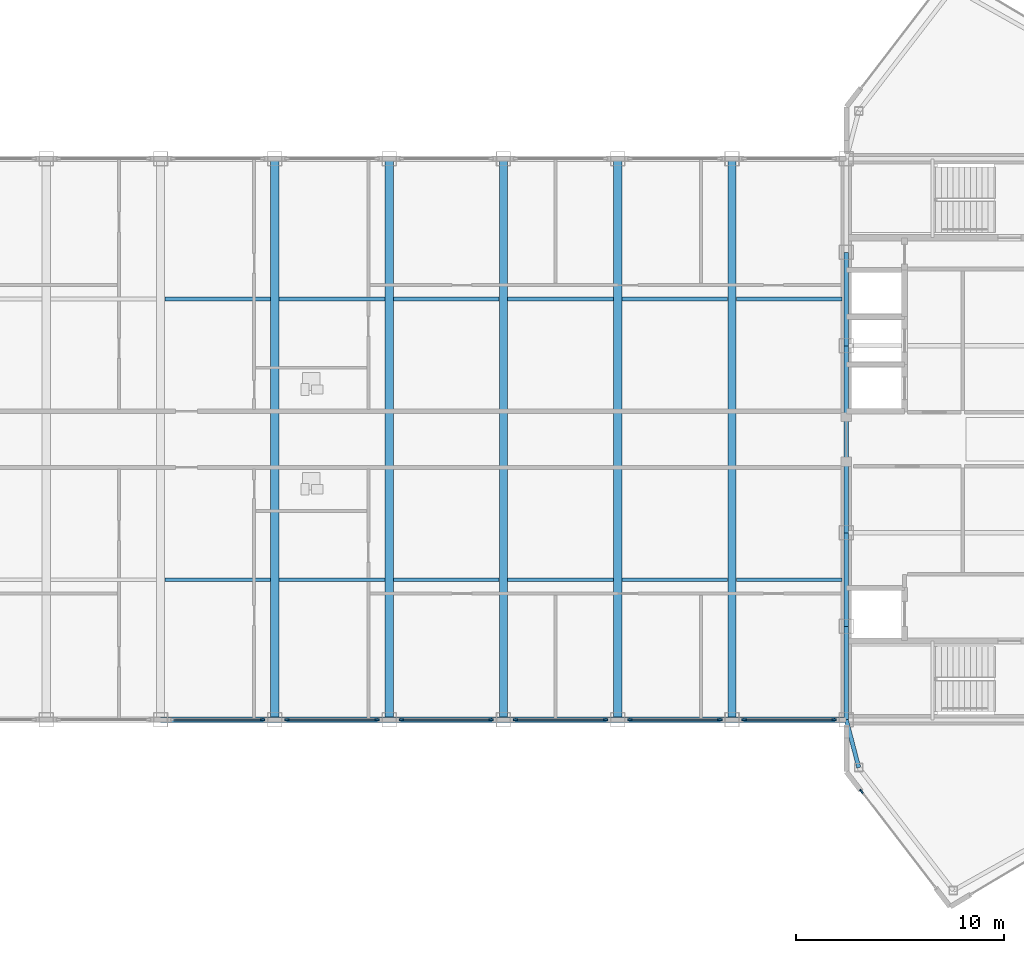
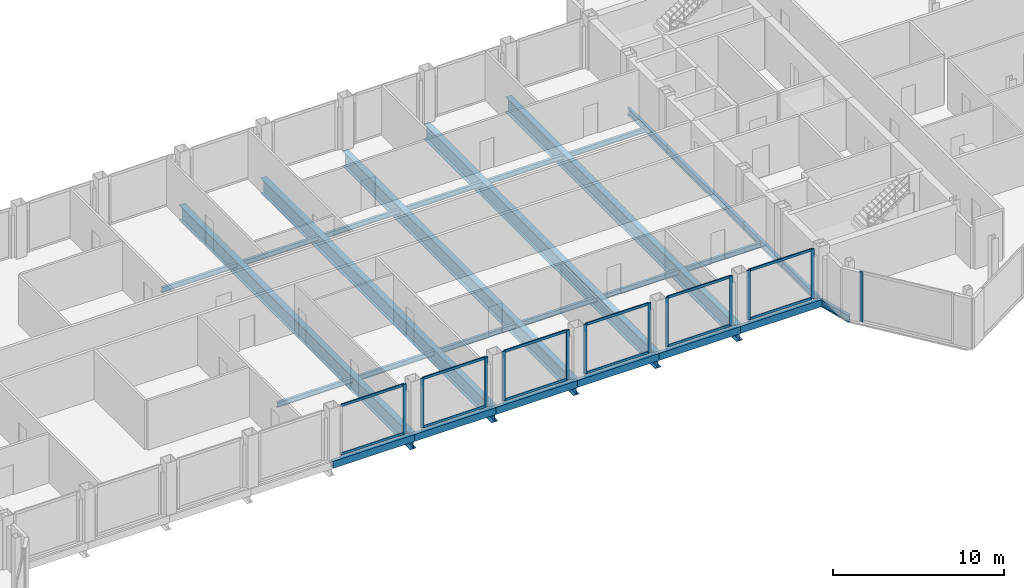
# One storey, part 13 of 28: 28 beams, 24 members, 7 elements without a shape of their own.
"""IFC4 building model written with IfcOpenShell, lengths in metres."""

from ifc_helpers import new_model, si_unit, direction, frame, origin, origin_2d, place, context, subcontext, project, spatial, rectangle, hollow_rectangle, i_section, extrude, source, transform, mapped, material, layer, layer_set, material_profile, profile_set, type_object, type_shapes, element, aggregate, save


model = new_model("IFC4")

# Units and contexts
model_context = context("Model", 3, precision=1e-05, world=origin(), true_north=direction((0.0, 1.0)))
body_context = subcontext(model_context, "Body", "Model", "MODEL_VIEW")
ifc_project = project(units=[si_unit("LENGTHUNIT", "METRE"), si_unit("AREAUNIT", "SQUARE_METRE"), si_unit("VOLUMEUNIT", "CUBIC_METRE"), si_unit("PLANEANGLEUNIT", "RADIAN"), si_unit("MASSUNIT", "GRAM", prefix="KILO")], contexts=[model_context])

# Site, building, storey
site_placement = place(None, origin())
site = spatial("IfcSite", under=ifc_project, at=site_placement, CompositionType="ELEMENT")
building_placement = place(site_placement, origin())
building = spatial("IfcBuilding", under=site, at=building_placement, Name="Seokmaru Belvedere", CompositionType="ELEMENT")
storey_placement = place(building_placement, frame((0.0, 0.0, 261.89990234375)))
storey = spatial("IfcBuildingStorey", under=building, at=storey_placement, Name="L69", CompositionType="ELEMENT", Elevation=261.89990234375)

# Beams
ifc_material_1 = material(Name="Steel SM355 (355 MPa)", Category="steel")
ifc_material_profile_1 = material_profile(ifc_material_1, i_section(OverallWidth=0.199951171875, OverallDepth=0.5, WebThickness=0.010009765625, FlangeThickness=0.01611328125, at=origin_2d()), Name="H-500x200x10x16")
ifc_profile_set_1 = profile_set([ifc_material_profile_1], Name="Steel SM355 (355 MPa)")
beam_type_1 = type_object("IfcBeamType", Name="Perimeter Spandrel Beam H-500", PredefinedType="SPANDREL", material=ifc_profile_set_1)
shared_shape_1 = source(origin(), body_context, "Body", "SweptSolid", [
    extrude(i_section(OverallWidth=0.199951171875, OverallDepth=0.5, WebThickness=0.010009765625, FlangeThickness=0.01611328125, at=origin_2d()), origin(), (0.0, 0.0, 1.0), 4.5),
])
for number, where, z_axis, x_axis, name in (
    (1, (27.5, -13.5, -0.469970703125), (0.0, 1.0, 0.0), (-1.0, 0.0, 0.0), "L69 E Portal Spine Spandrel 1"),
    (2, (27.5, -9.0, -0.469970703125), (0.0, 1.0, 0.0), (-1.0, 0.0, 0.0), "L69 E Portal Spine Spandrel 2"),
    (3, (27.5, 4.5, -0.469970703125), (0.0, 1.0, 0.0), (-1.0, 0.0, 0.0), "L69 E Portal Spine Spandrel 4"),
):
    element("IfcBeam", number, at=place(storey_placement, frame(where, z_axis=z_axis, x_axis=x_axis)), inside=storey, type_object=beam_type_1, Name=name, PredefinedType="SPANDREL", context=body_context, shape_type="MappedRepresentation", body=[
        mapped(shared_shape_1, transform((0.0, 0.0, 0.0), scale=1.0)),
    ])
shared_shape_2 = source(origin(), body_context, "Body", "SweptSolid", [
    extrude(i_section(OverallWidth=0.199951171875, OverallDepth=0.5, WebThickness=0.010009765625, FlangeThickness=0.01611328125, at=origin_2d()), origin(), (0.0, 0.0, 1.0), 9.0),
])
beam_1_placement = place(storey_placement, frame((27.5, -4.5, -0.469970703125), z_axis=(0.0, 1.0, 0.0), x_axis=(-1.0, 0.0, 0.0)))
element("IfcBeam", 4, at=beam_1_placement, inside=storey, type_object=beam_type_1, Name="L69 E Portal Spine Spandrel 3", PredefinedType="SPANDREL", context=body_context, shape_type="MappedRepresentation", body=[
    mapped(shared_shape_2, transform((0.0, 0.0, 0.0), scale=1.0)),
])
shared_shape_3 = source(origin(), body_context, "Body", "SweptSolid", [
    extrude(i_section(OverallWidth=0.199951171875, OverallDepth=0.5, WebThickness=0.010009765625, FlangeThickness=0.01611328125, at=origin_2d()), origin(), (0.0, 0.0, 1.0), 2.373046875),
])
type_shapes(beam_type_1, [shared_shape_1, shared_shape_2, shared_shape_3])
beam_2_placement = place(storey_placement, frame((28.10009765625, -15.7958984375, -0.469970703125), z_axis=(-0.252882558842, 0.967496982648, 0.0), x_axis=(-0.967496982648, -0.252882558842, 0.0)))
element("IfcBeam", 5, at=beam_2_placement, inside=storey, type_object=beam_type_1, Name="L69 E Shoulder Spine Spandrel S", PredefinedType="SPANDREL", context=body_context, shape_type="MappedRepresentation", body=[
    mapped(shared_shape_3, transform((0.0, 0.0, 0.0), scale=1.0)),
])
ifc_material_profile_2 = material_profile(ifc_material_1, i_section(OverallWidth=0.39990234375, OverallDepth=1.10009765625, WebThickness=0.02001953125, FlangeThickness=0.033935546875, at=origin_2d()), Name="BH-1100x400x20x34")
ifc_profile_set_2 = profile_set([ifc_material_profile_2], Name="Steel SM355 (355 MPa)")
beam_type_2 = type_object("IfcBeamType", Name="Sky-Gate Transverse Girder BH-1100", PredefinedType="BEAM", material=ifc_profile_set_2)
shared_shape_4 = source(origin(), body_context, "Body", "SweptSolid", [
    extrude(i_section(OverallWidth=0.39990234375, OverallDepth=1.10009765625, WebThickness=0.02001953125, FlangeThickness=0.033935546875, at=origin_2d()), origin(), (0.0, 0.0, 1.0), 27.0),
])
type_shapes(beam_type_2, [shared_shape_4])
for number, where, z_axis, x_axis, name in (
    (6, (0.0, -13.5, -0.77001953125), (0.0, 1.0, 0.0), (-1.0, 0.0, 0.0), "L69 Sky-Gate Transverse Girder 05"),
    (7, (5.5, -13.5, -0.77001953125), (0.0, 1.0, 0.0), (-1.0, 0.0, 0.0), "L69 Sky-Gate Transverse Girder 06"),
    (8, (11.0, -13.5, -0.77001953125), (0.0, 1.0, 0.0), (-1.0, 0.0, 0.0), "L69 Sky-Gate Transverse Girder 07"),
    (9, (16.5, -13.5, -0.77001953125), (0.0, 1.0, 0.0), (-1.0, 0.0, 0.0), "L69 Sky-Gate Transverse Girder 08"),
    (10, (22.0, -13.5, -0.77001953125), (0.0, 1.0, 0.0), (-1.0, 0.0, 0.0), "L69 Sky-Gate Transverse Girder 09"),
):
    element("IfcBeam", number, at=place(storey_placement, frame(where, z_axis=z_axis, x_axis=x_axis)), inside=storey, type_object=beam_type_2, Name=name, PredefinedType="BEAM", context=body_context, shape_type="MappedRepresentation", body=[
        mapped(shared_shape_4, transform((0.0, 0.0, 0.0), scale=1.0)),
    ])
ifc_material_profile_3 = material_profile(ifc_material_1, i_section(OverallWidth=0.175048828125, OverallDepth=0.35009765625, WebThickness=0.007080078125, FlangeThickness=0.010986328125, at=origin_2d()), Name="H-350x175x7x11")
ifc_profile_set_3 = profile_set([ifc_material_profile_3], Name="Steel SM355 (355 MPa)")
beam_type_3 = type_object("IfcBeamType", Name="Secondary Floor Joist H-300", PredefinedType="JOIST", material=ifc_profile_set_3)
shared_shape_5 = source(origin(), body_context, "Body", "SweptSolid", [
    extrude(i_section(OverallWidth=0.175048828125, OverallDepth=0.35009765625, WebThickness=0.007080078125, FlangeThickness=0.010986328125, at=origin_2d()), origin(), (0.0, 0.0, 1.0), 5.08984375),
])
type_shapes(beam_type_3, [shared_shape_5])
for number, where, z_axis, x_axis, name in (
    (11, (-5.294921875, -6.75, -0.39501953125), (1.0, 0.0, 0.0), (0.0, 1.0, 0.0), "L69 Sky-Gate Secondary Joist S-05"),
    (12, (0.205078125, -6.75, -0.39501953125), (1.0, 0.0, 0.0), (0.0, 1.0, 0.0), "L69 Sky-Gate Secondary Joist S-06"),
    (13, (5.705078125, -6.75, -0.39501953125), (1.0, 0.0, 0.0), (0.0, 1.0, 0.0), "L69 Sky-Gate Secondary Joist S-07"),
    (14, (11.205078125, -6.75, -0.39501953125), (1.0, 0.0, 0.0), (0.0, 1.0, 0.0), "L69 Sky-Gate Secondary Joist S-08"),
    (15, (16.705078125, -6.75, -0.39501953125), (1.0, 0.0, 0.0), (0.0, 1.0, 0.0), "L69 Sky-Gate Secondary Joist S-09"),
    (16, (22.205078125, -6.75, -0.39501953125), (1.0, 0.0, 0.0), (0.0, 1.0, 0.0), "L69 Sky-Gate Secondary Joist S-10"),
    (17, (-5.294921875, 6.75, -0.39501953125), (1.0, 0.0, 0.0), (0.0, 1.0, 0.0), "L69 Sky-Gate Secondary Joist N-05"),
    (18, (0.205078125, 6.75, -0.39501953125), (1.0, 0.0, 0.0), (0.0, 1.0, 0.0), "L69 Sky-Gate Secondary Joist N-06"),
    (19, (5.705078125, 6.75, -0.39501953125), (1.0, 0.0, 0.0), (0.0, 1.0, 0.0), "L69 Sky-Gate Secondary Joist N-07"),
    (20, (11.205078125, 6.75, -0.39501953125), (1.0, 0.0, 0.0), (0.0, 1.0, 0.0), "L69 Sky-Gate Secondary Joist N-08"),
    (21, (16.705078125, 6.75, -0.39501953125), (1.0, 0.0, 0.0), (0.0, 1.0, 0.0), "L69 Sky-Gate Secondary Joist N-09"),
    (22, (22.205078125, 6.75, -0.39501953125), (1.0, 0.0, 0.0), (0.0, 1.0, 0.0), "L69 Sky-Gate Secondary Joist N-10"),
):
    element("IfcBeam", number, at=place(storey_placement, frame(where, z_axis=z_axis, x_axis=x_axis)), inside=storey, type_object=beam_type_3, Name=name, PredefinedType="JOIST", context=body_context, shape_type="MappedRepresentation", body=[
        mapped(shared_shape_5, transform((0.0, 0.0, 0.0), scale=1.0)),
    ])
ifc_material_profile_4 = material_profile(ifc_material_1, hollow_rectangle(XDim=0.25, YDim=0.5, WallThickness=0.013916015625, at=origin_2d()), Name="RHS-500x250x14")
ifc_profile_set_4 = profile_set([ifc_material_profile_4], Name="Steel SM355 (355 MPa)")
beam_type_4 = type_object("IfcBeamType", Name="Bridge Edge Spandrel RHS-500", PredefinedType="SPANDREL", material=ifc_profile_set_4)
shared_shape_6 = source(origin(), body_context, "Body", "SweptSolid", [
    extrude(hollow_rectangle(XDim=0.25, YDim=0.5, WallThickness=0.013916015625, at=origin_2d()), origin(), (0.0, 0.0, 1.0), 5.5),
])
type_shapes(beam_type_4, [shared_shape_6])
for number, where, z_axis, x_axis, name in (
    (23, (-5.5, -13.5, -0.469970703125), (1.0, 0.0, 0.0), (0.0, 1.0, 0.0), "L69 Sky-Gate Bridge Edge Girder S-05"),
    (24, (0.0, -13.5, -0.469970703125), (1.0, 0.0, 0.0), (0.0, 1.0, 0.0), "L69 Sky-Gate Bridge Edge Girder S-06"),
    (25, (5.5, -13.5, -0.469970703125), (1.0, 0.0, 0.0), (0.0, 1.0, 0.0), "L69 Sky-Gate Bridge Edge Girder S-07"),
    (26, (11.0, -13.5, -0.469970703125), (1.0, 0.0, 0.0), (0.0, 1.0, 0.0), "L69 Sky-Gate Bridge Edge Girder S-08"),
    (27, (16.5, -13.5, -0.469970703125), (1.0, 0.0, 0.0), (0.0, 1.0, 0.0), "L69 Sky-Gate Bridge Edge Girder S-09"),
    (28, (22.0, -13.5, -0.469970703125), (1.0, 0.0, 0.0), (0.0, 1.0, 0.0), "L69 Sky-Gate Bridge Edge Girder S-10"),
):
    element("IfcBeam", number, at=place(storey_placement, frame(where, z_axis=z_axis, x_axis=x_axis)), inside=storey, type_object=beam_type_4, Name=name, PredefinedType="SPANDREL", context=body_context, shape_type="MappedRepresentation", body=[
        mapped(shared_shape_6, transform((0.0, 0.0, 0.0), scale=1.0)),
    ])

# Curtain wall, members
ifc_material_2 = material(Name="Bronze Triple Insulating Glass", Category="glass")
ifc_layer = layer(ifc_material_2, 0.219970703125)
ifc_layer_set = layer_set([ifc_layer], Name="Bronze Triple Insulating Glass")
curtain_wall_type = type_object("IfcCurtainWallType", Name="Sky-Gate Bridge Panorama Curtain Wall System CW-6", PredefinedType="NOTDEFINED", material=ifc_layer_set)
curtain_wall_1_placement = place(storey_placement, origin())
curtain_wall_1 = element("IfcCurtainWall", 29, at=curtain_wall_1_placement, inside=storey, type_object=curtain_wall_type, Name="L69 Curtain Wall BR_S05", PredefinedType="NOTDEFINED")
ifc_material_3 = material(Name="Anodised Bronze Aluminium", Category="aluminium")
ifc_material_profile_5 = material_profile(ifc_material_3, rectangle(XDim=0.074951171875, YDim=0.179931640625, at=origin_2d()), Name="CW-T-75x180")
ifc_profile_set_5 = profile_set([ifc_material_profile_5], Name="Anodised Bronze Aluminium")
member_type_1 = type_object("IfcMemberType", Name="Bronze Unitised Transom 75x180", PredefinedType="USERDEFINED", material=ifc_profile_set_5)
shared_shape_7 = source(origin(), body_context, "Body", "SweptSolid", [
    extrude(rectangle(XDim=0.074951171875, YDim=0.179931640625, at=origin_2d()), origin(), (0.0, 0.0, 1.0), 4.240234375),
])
type_shapes(member_type_1, [shared_shape_7])
member_1_placement = place(storey_placement, frame((-4.8701171875, -13.5, 0.03759765625), z_axis=(1.0, 0.0, 0.0), x_axis=(0.0, 1.0, 0.0)))
member_1 = element("IfcMember", 30, at=member_1_placement, type_object=member_type_1, Name="CW:L69:BR_S05 Continuous Transom 1", ObjectType="TRANSOM", PredefinedType="USERDEFINED", context=body_context, shape_type="MappedRepresentation", body=[
    mapped(shared_shape_7, transform((0.0, 0.0, 0.0), scale=1.0)),
])
member_2_placement = place(storey_placement, frame((-4.8701171875, -13.5, 3.49267578125), z_axis=(1.0, 0.0, 0.0), x_axis=(0.0, 1.0, 0.0)))
member_2 = element("IfcMember", 31, at=member_2_placement, type_object=member_type_1, Name="CW:L69:BR_S05 Continuous Transom 2", ObjectType="TRANSOM", PredefinedType="USERDEFINED", context=body_context, shape_type="MappedRepresentation", body=[
    mapped(shared_shape_7, transform((0.0, 0.0, 0.0), scale=1.0)),
])

curtain_wall_2_placement = place(storey_placement, origin())
curtain_wall_2 = element("IfcCurtainWall", 32, at=curtain_wall_2_placement, inside=storey, type_object=curtain_wall_type, Name="L69 Curtain Wall BR_S06", PredefinedType="NOTDEFINED")
member_3_placement = place(storey_placement, frame((0.6298828125, -13.5, 0.03759765625), z_axis=(1.0, 0.0, 0.0), x_axis=(0.0, 1.0, 0.0)))
member_3 = element("IfcMember", 33, at=member_3_placement, type_object=member_type_1, Name="CW:L69:BR_S06 Continuous Transom 1", ObjectType="TRANSOM", PredefinedType="USERDEFINED", context=body_context, shape_type="MappedRepresentation", body=[
    mapped(shared_shape_7, transform((0.0, 0.0, 0.0), scale=1.0)),
])
member_4_placement = place(storey_placement, frame((0.6298828125, -13.5, 3.49267578125), z_axis=(1.0, 0.0, 0.0), x_axis=(0.0, 1.0, 0.0)))
member_4 = element("IfcMember", 34, at=member_4_placement, type_object=member_type_1, Name="CW:L69:BR_S06 Continuous Transom 2", ObjectType="TRANSOM", PredefinedType="USERDEFINED", context=body_context, shape_type="MappedRepresentation", body=[
    mapped(shared_shape_7, transform((0.0, 0.0, 0.0), scale=1.0)),
])

curtain_wall_3_placement = place(storey_placement, origin())
curtain_wall_3 = element("IfcCurtainWall", 35, at=curtain_wall_3_placement, inside=storey, type_object=curtain_wall_type, Name="L69 Curtain Wall BR_S07", PredefinedType="NOTDEFINED")
member_5_placement = place(storey_placement, frame((6.1298828125, -13.5, 0.03759765625), z_axis=(1.0, 0.0, 0.0), x_axis=(0.0, 1.0, 0.0)))
member_5 = element("IfcMember", 36, at=member_5_placement, type_object=member_type_1, Name="CW:L69:BR_S07 Continuous Transom 1", ObjectType="TRANSOM", PredefinedType="USERDEFINED", context=body_context, shape_type="MappedRepresentation", body=[
    mapped(shared_shape_7, transform((0.0, 0.0, 0.0), scale=1.0)),
])
member_6_placement = place(storey_placement, frame((6.1298828125, -13.5, 3.49267578125), z_axis=(1.0, 0.0, 0.0), x_axis=(0.0, 1.0, 0.0)))
member_6 = element("IfcMember", 37, at=member_6_placement, type_object=member_type_1, Name="CW:L69:BR_S07 Continuous Transom 2", ObjectType="TRANSOM", PredefinedType="USERDEFINED", context=body_context, shape_type="MappedRepresentation", body=[
    mapped(shared_shape_7, transform((0.0, 0.0, 0.0), scale=1.0)),
])

curtain_wall_4_placement = place(storey_placement, origin())
curtain_wall_4 = element("IfcCurtainWall", 38, at=curtain_wall_4_placement, inside=storey, type_object=curtain_wall_type, Name="L69 Curtain Wall BR_S08", PredefinedType="NOTDEFINED")
member_7_placement = place(storey_placement, frame((11.6298828125, -13.5, 0.03759765625), z_axis=(1.0, 0.0, 0.0), x_axis=(0.0, 1.0, 0.0)))
member_7 = element("IfcMember", 39, at=member_7_placement, type_object=member_type_1, Name="CW:L69:BR_S08 Continuous Transom 1", ObjectType="TRANSOM", PredefinedType="USERDEFINED", context=body_context, shape_type="MappedRepresentation", body=[
    mapped(shared_shape_7, transform((0.0, 0.0, 0.0), scale=1.0)),
])
member_8_placement = place(storey_placement, frame((11.6298828125, -13.5, 3.49267578125), z_axis=(1.0, 0.0, 0.0), x_axis=(0.0, 1.0, 0.0)))
member_8 = element("IfcMember", 40, at=member_8_placement, type_object=member_type_1, Name="CW:L69:BR_S08 Continuous Transom 2", ObjectType="TRANSOM", PredefinedType="USERDEFINED", context=body_context, shape_type="MappedRepresentation", body=[
    mapped(shared_shape_7, transform((0.0, 0.0, 0.0), scale=1.0)),
])

curtain_wall_5_placement = place(storey_placement, origin())
curtain_wall_5 = element("IfcCurtainWall", 41, at=curtain_wall_5_placement, inside=storey, type_object=curtain_wall_type, Name="L69 Curtain Wall BR_S09", PredefinedType="NOTDEFINED")
member_9_placement = place(storey_placement, frame((17.1298828125, -13.5, 0.03759765625), z_axis=(1.0, 0.0, 0.0), x_axis=(0.0, 1.0, 0.0)))
member_9 = element("IfcMember", 42, at=member_9_placement, type_object=member_type_1, Name="CW:L69:BR_S09 Continuous Transom 1", ObjectType="TRANSOM", PredefinedType="USERDEFINED", context=body_context, shape_type="MappedRepresentation", body=[
    mapped(shared_shape_7, transform((0.0, 0.0, 0.0), scale=1.0)),
])
member_10_placement = place(storey_placement, frame((17.1298828125, -13.5, 3.49267578125), z_axis=(1.0, 0.0, 0.0), x_axis=(0.0, 1.0, 0.0)))
member_10 = element("IfcMember", 43, at=member_10_placement, type_object=member_type_1, Name="CW:L69:BR_S09 Continuous Transom 2", ObjectType="TRANSOM", PredefinedType="USERDEFINED", context=body_context, shape_type="MappedRepresentation", body=[
    mapped(shared_shape_7, transform((0.0, 0.0, 0.0), scale=1.0)),
])

curtain_wall_6_placement = place(storey_placement, origin())
curtain_wall_6 = element("IfcCurtainWall", 44, at=curtain_wall_6_placement, inside=storey, type_object=curtain_wall_type, Name="L69 Curtain Wall BR_S10", PredefinedType="NOTDEFINED")
member_11_placement = place(storey_placement, frame((22.6298828125, -13.5, 0.03759765625), z_axis=(1.0, 0.0, 0.0), x_axis=(0.0, 1.0, 0.0)))
member_11 = element("IfcMember", 45, at=member_11_placement, type_object=member_type_1, Name="CW:L69:BR_S10 Continuous Transom 1", ObjectType="TRANSOM", PredefinedType="USERDEFINED", context=body_context, shape_type="MappedRepresentation", body=[
    mapped(shared_shape_7, transform((0.0, 0.0, 0.0), scale=1.0)),
])
member_12_placement = place(storey_placement, frame((22.6298828125, -13.5, 3.49267578125), z_axis=(1.0, 0.0, 0.0), x_axis=(0.0, 1.0, 0.0)))
member_12 = element("IfcMember", 46, at=member_12_placement, type_object=member_type_1, Name="CW:L69:BR_S10 Continuous Transom 2", ObjectType="TRANSOM", PredefinedType="USERDEFINED", context=body_context, shape_type="MappedRepresentation", body=[
    mapped(shared_shape_7, transform((0.0, 0.0, 0.0), scale=1.0)),
])

# Curtain wall, member
curtain_wall_7_placement = place(storey_placement, origin())
curtain_wall_7 = element("IfcCurtainWall", 47, at=curtain_wall_7_placement, inside=storey, type_object=curtain_wall_type, Name="L69 Curtain Wall EF6", PredefinedType="NOTDEFINED")
ifc_material_profile_6 = material_profile(ifc_material_3, rectangle(XDim=0.080078125, YDim=0.219970703125, at=origin_2d()), Name="CW-M-80x220")
ifc_profile_set_6 = profile_set([ifc_material_profile_6], Name="Anodised Bronze Aluminium")
member_type_2 = type_object("IfcMemberType", Name="Bronze Unitised Mullion 80x220", PredefinedType="MULLION", material=ifc_profile_set_6)
shared_shape_8 = source(origin(), body_context, "Body", "SweptSolid", [
    extrude(rectangle(XDim=0.080078125, YDim=0.219970703125, at=origin_2d()), origin(), (0.0, 0.0, 1.0), 3.530029296875),
])
type_shapes(member_type_2, [shared_shape_8])
member_13_placement = place(storey_placement, frame((28.2255859375, -16.943115234375, 0.0), z_axis=(0.0, 0.0, 1.0), x_axis=(0.792631353244, 0.609701187349, 0.0)))
member_13 = element("IfcMember", 48, at=member_13_placement, type_object=member_type_2, Name="CW:L69:EF6 Mullion 1", PredefinedType="MULLION", context=body_context, shape_type="MappedRepresentation", body=[
    mapped(shared_shape_8, transform((0.0, 0.0, 0.0), scale=1.0)),
])
aggregate(curtain_wall_7, [member_13])

# Member
member_14_placement = place(storey_placement, frame((-0.590087890625, -13.5, 0.0), z_axis=(0.0, 0.0, 1.0), x_axis=(0.0, 1.0, 0.0)))
member_14 = element("IfcMember", 49, at=member_14_placement, type_object=member_type_2, Name="CW:L69:BR_S05 Mullion 2", PredefinedType="MULLION", context=body_context, shape_type="MappedRepresentation", body=[
    mapped(shared_shape_8, transform((0.0, 0.0, 0.0), scale=1.0)),
])

aggregate(curtain_wall_1, [member_14, member_1, member_2])

member_15_placement = place(storey_placement, frame((0.590087890625, -13.5, 0.0), z_axis=(0.0, 0.0, 1.0), x_axis=(0.0, 1.0, 0.0)))
member_15 = element("IfcMember", 50, at=member_15_placement, type_object=member_type_2, Name="CW:L69:BR_S06 Mullion 1", PredefinedType="MULLION", context=body_context, shape_type="MappedRepresentation", body=[
    mapped(shared_shape_8, transform((0.0, 0.0, 0.0), scale=1.0)),
])

member_16_placement = place(storey_placement, frame((4.909912109375, -13.5, 0.0), z_axis=(0.0, 0.0, 1.0), x_axis=(0.0, 1.0, 0.0)))
member_16 = element("IfcMember", 51, at=member_16_placement, type_object=member_type_2, Name="CW:L69:BR_S06 Mullion 2", PredefinedType="MULLION", context=body_context, shape_type="MappedRepresentation", body=[
    mapped(shared_shape_8, transform((0.0, 0.0, 0.0), scale=1.0)),
])

aggregate(curtain_wall_2, [member_15, member_16, member_3, member_4])

member_17_placement = place(storey_placement, frame((6.090087890625, -13.5, 0.0), z_axis=(0.0, 0.0, 1.0), x_axis=(0.0, 1.0, 0.0)))
member_17 = element("IfcMember", 52, at=member_17_placement, type_object=member_type_2, Name="CW:L69:BR_S07 Mullion 1", PredefinedType="MULLION", context=body_context, shape_type="MappedRepresentation", body=[
    mapped(shared_shape_8, transform((0.0, 0.0, 0.0), scale=1.0)),
])

member_18_placement = place(storey_placement, frame((10.409912109375, -13.5, 0.0), z_axis=(0.0, 0.0, 1.0), x_axis=(0.0, 1.0, 0.0)))
member_18 = element("IfcMember", 53, at=member_18_placement, type_object=member_type_2, Name="CW:L69:BR_S07 Mullion 2", PredefinedType="MULLION", context=body_context, shape_type="MappedRepresentation", body=[
    mapped(shared_shape_8, transform((0.0, 0.0, 0.0), scale=1.0)),
])

aggregate(curtain_wall_3, [member_17, member_18, member_5, member_6])

member_19_placement = place(storey_placement, frame((11.590087890625, -13.5, 0.0), z_axis=(0.0, 0.0, 1.0), x_axis=(0.0, 1.0, 0.0)))
member_19 = element("IfcMember", 54, at=member_19_placement, type_object=member_type_2, Name="CW:L69:BR_S08 Mullion 1", PredefinedType="MULLION", context=body_context, shape_type="MappedRepresentation", body=[
    mapped(shared_shape_8, transform((0.0, 0.0, 0.0), scale=1.0)),
])

member_20_placement = place(storey_placement, frame((15.909912109375, -13.5, 0.0), z_axis=(0.0, 0.0, 1.0), x_axis=(0.0, 1.0, 0.0)))
member_20 = element("IfcMember", 55, at=member_20_placement, type_object=member_type_2, Name="CW:L69:BR_S08 Mullion 2", PredefinedType="MULLION", context=body_context, shape_type="MappedRepresentation", body=[
    mapped(shared_shape_8, transform((0.0, 0.0, 0.0), scale=1.0)),
])

aggregate(curtain_wall_4, [member_19, member_20, member_7, member_8])

member_21_placement = place(storey_placement, frame((17.090087890625, -13.5, 0.0), z_axis=(0.0, 0.0, 1.0), x_axis=(0.0, 1.0, 0.0)))
member_21 = element("IfcMember", 56, at=member_21_placement, type_object=member_type_2, Name="CW:L69:BR_S09 Mullion 1", PredefinedType="MULLION", context=body_context, shape_type="MappedRepresentation", body=[
    mapped(shared_shape_8, transform((0.0, 0.0, 0.0), scale=1.0)),
])

member_22_placement = place(storey_placement, frame((21.409912109375, -13.5, 0.0), z_axis=(0.0, 0.0, 1.0), x_axis=(0.0, 1.0, 0.0)))
member_22 = element("IfcMember", 57, at=member_22_placement, type_object=member_type_2, Name="CW:L69:BR_S09 Mullion 2", PredefinedType="MULLION", context=body_context, shape_type="MappedRepresentation", body=[
    mapped(shared_shape_8, transform((0.0, 0.0, 0.0), scale=1.0)),
])

aggregate(curtain_wall_5, [member_21, member_22, member_9, member_10])

member_23_placement = place(storey_placement, frame((22.590087890625, -13.5, 0.0), z_axis=(0.0, 0.0, 1.0), x_axis=(0.0, 1.0, 0.0)))
member_23 = element("IfcMember", 58, at=member_23_placement, type_object=member_type_2, Name="CW:L69:BR_S10 Mullion 1", PredefinedType="MULLION", context=body_context, shape_type="MappedRepresentation", body=[
    mapped(shared_shape_8, transform((0.0, 0.0, 0.0), scale=1.0)),
])

member_24_placement = place(storey_placement, frame((26.909912109375, -13.5, 0.0), z_axis=(0.0, 0.0, 1.0), x_axis=(0.0, 1.0, 0.0)))
member_24 = element("IfcMember", 59, at=member_24_placement, type_object=member_type_2, Name="CW:L69:BR_S10 Mullion 2", PredefinedType="MULLION", context=body_context, shape_type="MappedRepresentation", body=[
    mapped(shared_shape_8, transform((0.0, 0.0, 0.0), scale=1.0)),
])

aggregate(curtain_wall_6, [member_23, member_24, member_11, member_12])

save(model, "model.ifc")
